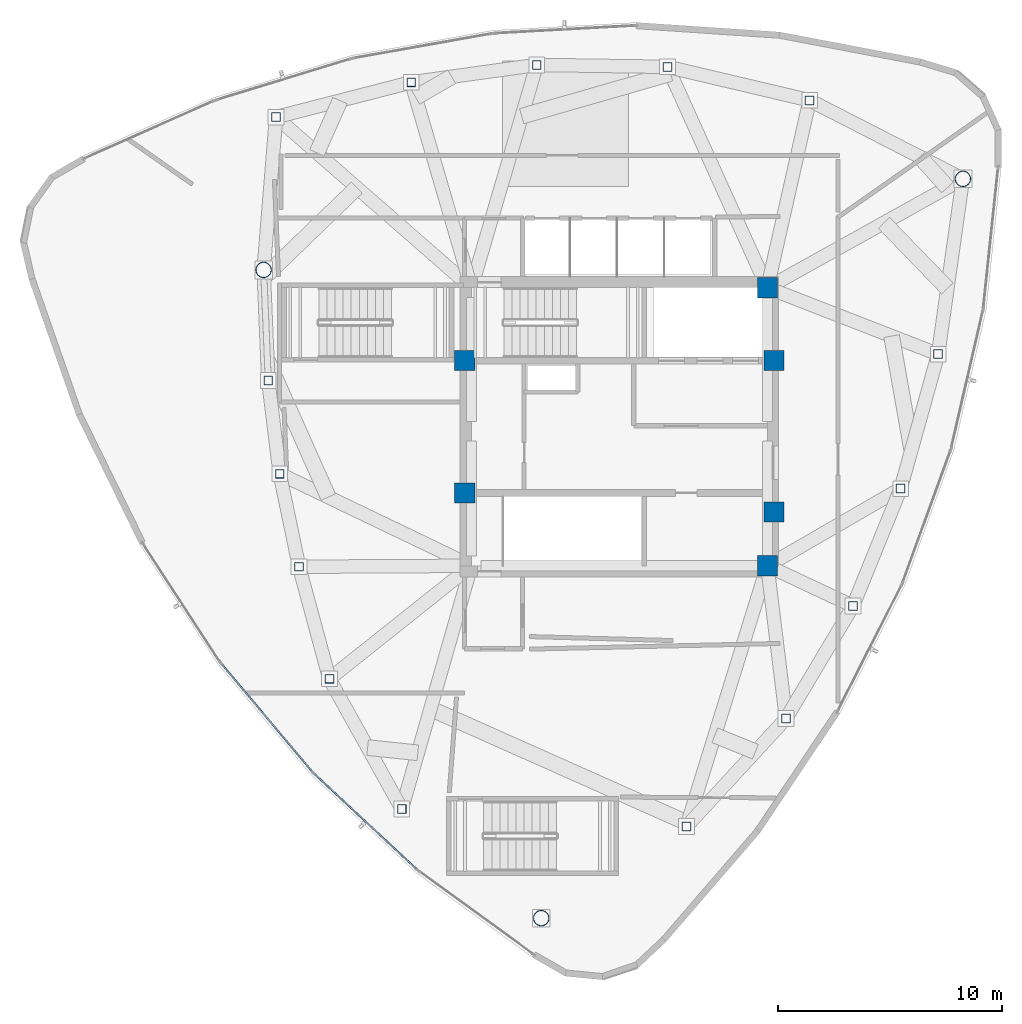
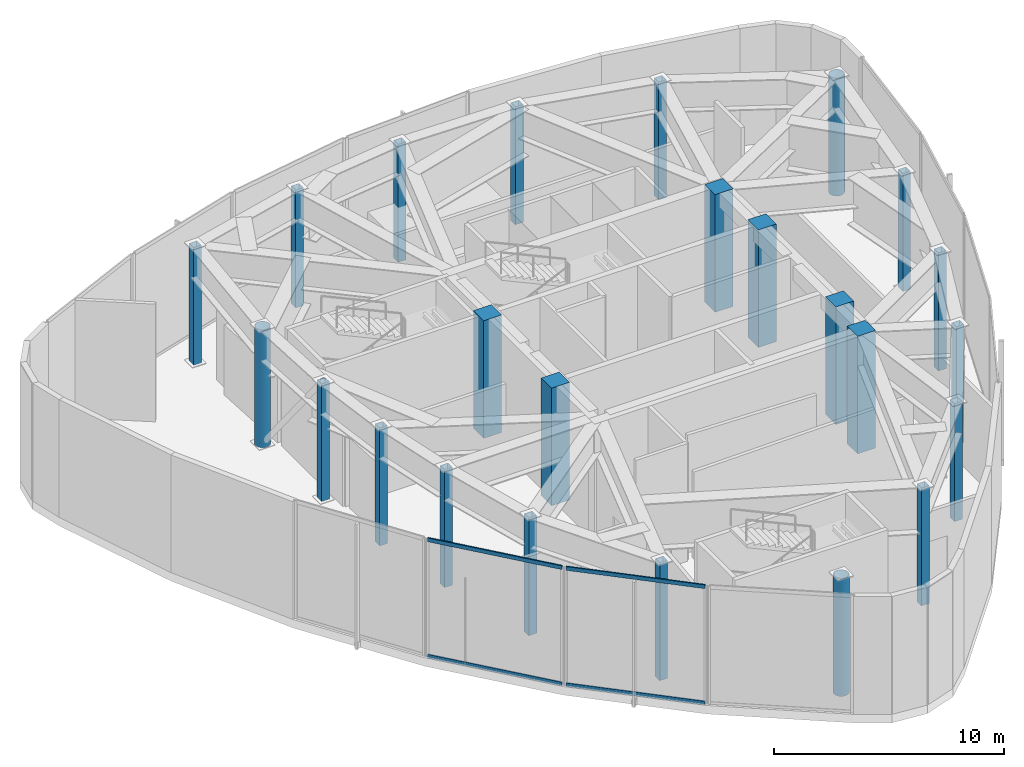
# One storey, part 1 of 13: 24 columns, 4 members, 2 elements without a shape of their own.
"""IFC4 building model written with IfcOpenShell, lengths in metres."""

from ifc_helpers import new_model, si_unit, direction, frame, origin, origin_2d, place, context, subcontext, project, spatial, rectangle, hollow_rectangle, hollow_circle, extrude, source, transform, mapped, material, layer, layer_set, material_profile, profile_set, type_object, type_shapes, element, aggregate, save


model = new_model("IFC4")

# Units and contexts
model_context = context("Model", 3, precision=1e-05, world=origin(), true_north=direction((0.0, 1.0)))
body_context = subcontext(model_context, "Body", "Model", "MODEL_VIEW")
ifc_project = project(units=[si_unit("LENGTHUNIT", "METRE"), si_unit("AREAUNIT", "SQUARE_METRE"), si_unit("VOLUMEUNIT", "CUBIC_METRE"), si_unit("PLANEANGLEUNIT", "RADIAN"), si_unit("MASSUNIT", "GRAM", prefix="KILO")], contexts=[model_context])

# Site, building, storey
site_placement = place(None, origin())
site = spatial("IfcSite", under=ifc_project, at=site_placement, CompositionType="ELEMENT")
building_placement = place(site_placement, origin())
building = spatial("IfcBuilding", under=site, at=building_placement, Name="Tavelor Broadcast Tower", CompositionType="ELEMENT")
storey_placement = place(building_placement, frame((0.0, 0.0, 325.5)))
storey = spatial("IfcBuildingStorey", under=building, at=storey_placement, Name="L78", CompositionType="ELEMENT", Elevation=325.5)

# Columns
ifc_material_1 = material(Name="Concrete C50/60", Category="concrete")
ifc_material_profile_1 = material_profile(ifc_material_1, rectangle(XDim=0.89990234375, YDim=0.89990234375, at=origin_2d()), Name="RC 900x900")
ifc_profile_set_1 = profile_set([ifc_material_profile_1], Name="Concrete C50/60")
column_type_1 = type_object("IfcColumnType", Name="Core Embedded Composite Column RC900", PredefinedType="COLUMN", material=ifc_profile_set_1)
for number, where, z_axis, x_axis, name in (
    (1, (43.10009765625, 47.949951171875, 0.0), (0.0, 0.0, 1.0), (1.0, 0.0, 0.0), "L78 Core Embedded Column 1"),
    (2, (56.89990234375, 47.949951171875, 0.0), (0.0, 0.0, 1.0), (1.0, 0.0, 0.0), "L78 Core Embedded Column 2"),
    (3, (56.60009765625, 51.199951171875, 0.0), (0.0, 0.0, 1.0), (1.0, 0.0, 0.0), "L78 Core Embedded Column 3"),
    (4, (43.10009765625, 42.050048828125, 0.0), (0.0, 0.0, 1.0), (1.0, 0.0, 0.0), "L78 Core Embedded Column 4"),
    (5, (56.89990234375, 41.199951171875, 0.0), (0.0, 0.0, 1.0), (1.0, 0.0, 0.0), "L78 Core Embedded Column 5"),
    (6, (56.60009765625, 38.800048828125, 0.0), (0.0, 0.0, 1.0), (1.0, 0.0, 0.0), "L78 Core Embedded Column 6"),
):
    element("IfcColumn", number, at=place(storey_placement, frame(where, z_axis=z_axis, x_axis=x_axis)), inside=storey, type_object=column_type_1, Name=name, PredefinedType="COLUMN", context=body_context, shape_type="SweptSolid", body=[
        extrude(rectangle(XDim=0.89990234375, YDim=0.89990234375, at=origin_2d()), origin(), (0.0, 0.0, 1.0), 6.25),
    ])
ifc_material_2 = material(Name="Steel S460", Category="steel")
ifc_material_profile_2 = material_profile(ifc_material_2, hollow_rectangle(XDim=0.39990234375, YDim=0.39990234375, WallThickness=0.02490234375, at=origin_2d()), Name="SHS 400x400x25")
ifc_profile_set_2 = profile_set([ifc_material_profile_2], Name="Steel S460")
column_type_2 = type_object("IfcColumnType", Name="Perimeter Tube Column T8 SHS 400x400x25", PredefinedType="COLUMN", material=ifc_profile_set_2)
for number, where, z_axis, x_axis, name in (
    (7, (34.341552734375, 47.061279296875, 0.0), (0.0, 0.0, 1.0), (1.0, 0.0, 0.0), "L78 Perimeter Framed-Tube Column 02"),
    (8, (34.85400390625, 42.90185546875, 0.0), (0.0, 0.0, 1.0), (1.0, 0.0, 0.0), "L78 Perimeter Framed-Tube Column 03"),
    (9, (35.716552734375, 38.757080078125, 0.0), (0.0, 0.0, 1.0), (1.0, 0.0, 0.0), "L78 Perimeter Framed-Tube Column 04"),
    (10, (37.068115234375, 33.759521484375, 0.0), (0.0, 0.0, 1.0), (1.0, 0.0, 0.0), "L78 Perimeter Framed-Tube Column 05"),
    (11, (40.29638671875, 27.95361328125, 0.0), (0.0, 0.0, 1.0), (1.0, 0.0, 0.0), "L78 Perimeter Framed-Tube Column 06"),
    (12, (52.992919921875, 27.1767578125, 0.0), (0.0, 0.0, 1.0), (1.0, 0.0, 0.0), "L78 Perimeter Framed-Tube Column 08"),
    (13, (57.431396484375, 31.9921875, 0.0), (0.0, 0.0, 1.0), (1.0, 0.0, 0.0), "L78 Perimeter Framed-Tube Column 09"),
    (14, (60.41748046875, 37.00439453125, 0.0), (0.0, 0.0, 1.0), (1.0, 0.0, 0.0), "L78 Perimeter Framed-Tube Column 10"),
    (15, (62.543701171875, 42.240478515625, 0.0), (0.0, 0.0, 1.0), (1.0, 0.0, 0.0), "L78 Perimeter Framed-Tube Column 11"),
    (16, (64.21435546875, 48.2373046875, 0.0), (0.0, 0.0, 1.0), (1.0, 0.0, 0.0), "L78 Perimeter Framed-Tube Column 12"),
    (17, (58.485595703125, 59.55712890625, 0.0), (0.0, 0.0, 1.0), (1.0, 0.0, 0.0), "L78 Perimeter Framed-Tube Column 14"),
    (18, (52.147216796875, 61.05078125, 0.0), (0.0, 0.0, 1.0), (1.0, 0.0, 0.0), "L78 Perimeter Framed-Tube Column 15"),
    (19, (46.3154296875, 61.13720703125, 0.0), (0.0, 0.0, 1.0), (1.0, 0.0, 0.0), "L78 Perimeter Framed-Tube Column 16"),
    (20, (40.718017578125, 60.36083984375, 0.0), (0.0, 0.0, 1.0), (1.0, 0.0, 0.0), "L78 Perimeter Framed-Tube Column 17"),
    (21, (34.689208984375, 58.80908203125, 0.0), (0.0, 0.0, 1.0), (1.0, 0.0, 0.0), "L78 Perimeter Framed-Tube Column 18"),
):
    element("IfcColumn", number, at=place(storey_placement, frame(where, z_axis=z_axis, x_axis=x_axis)), inside=storey, type_object=column_type_2, Name=name, PredefinedType="COLUMN", context=body_context, shape_type="SweptSolid", body=[
        extrude(hollow_rectangle(XDim=0.39990234375, YDim=0.39990234375, WallThickness=0.02490234375, at=origin_2d()), origin(), (0.0, 0.0, 1.0), 6.25),
    ])
ifc_material_profile_3 = material_profile(ifc_material_2, hollow_circle(Radius=0.35546875, WallThickness=0.031982421875, at=origin_2d()), Name="CHS 711x32")
ifc_profile_set_3 = profile_set([ifc_material_profile_3], Name="Steel S460")
column_type_3 = type_object("IfcColumnType", Name="Tower Mega Column T8 CHS 711x32", PredefinedType="COLUMN", material=ifc_profile_set_3)
for number, where, z_axis, x_axis, name in (
    (22, (34.134765625, 51.995849609375, 0.0), (0.0, 0.0, 1.0), (1.0, 0.0, 0.0), "L78 Tower Corner Mega Column 01"),
    (23, (46.5146484375, 23.08740234375, 0.0), (0.0, 0.0, 1.0), (1.0, 0.0, 0.0), "L78 Tower Corner Mega Column 07"),
    (24, (65.319580078125, 56.0556640625, 0.0), (0.0, 0.0, 1.0), (1.0, 0.0, 0.0), "L78 Tower Corner Mega Column 13"),
):
    element("IfcColumn", number, at=place(storey_placement, frame(where, z_axis=z_axis, x_axis=x_axis)), inside=storey, type_object=column_type_3, Name=name, PredefinedType="COLUMN", context=body_context, shape_type="SweptSolid", body=[
        extrude(hollow_circle(Radius=0.35546875, WallThickness=0.031982421875, at=origin_2d()), origin(), (0.0, 0.0, 1.0), 6.25),
    ])

# Curtain wall, members
ifc_material_3 = material(Name="Architectural Anodized Aluminium", Category="aluminium")
ifc_layer = layer(ifc_material_3, 0.199951171875)
ifc_layer_set = layer_set([ifc_layer], Name="Architectural Anodized Aluminium")
curtain_wall_type = type_object("IfcCurtainWallType", Name="Tower High-Zone Triple-Glazed Curtain Wall CW04", PredefinedType="NOTDEFINED", material=ifc_layer_set)
curtain_wall_1_placement = place(storey_placement, origin())
curtain_wall_1 = element("IfcCurtainWall", 25, at=curtain_wall_1_placement, inside=storey, type_object=curtain_wall_type, Name="L78 Curtain Wall CW04 Run 866", PredefinedType="NOTDEFINED")
ifc_material_profile_4 = material_profile(ifc_material_3, hollow_rectangle(XDim=0.070068359375, YDim=0.199951171875, WallThickness=0.02197265625, at=origin_2d()), Name="RHS 70x200x22")
ifc_profile_set_4 = profile_set([ifc_material_profile_4], Name="Architectural Anodized Aluminium")
member_type = type_object("IfcMemberType", Name="CW04 Extruded Aluminium Transom 70x200", PredefinedType="USERDEFINED", material=ifc_profile_set_4)
shared_shape_1 = source(origin(), body_context, "Body", "SweptSolid", [
    extrude(hollow_rectangle(XDim=0.070068359375, YDim=0.199951171875, WallThickness=0.02197265625, at=origin_2d()), origin(), (0.0, 0.0, 1.0), 6.2255859375),
])
member_1_placement = place(storey_placement, frame((32.276611328125, 34.4052734375, 0.034912109375), z_axis=(0.643810835951, -0.765184688498, 0.0), x_axis=(0.765184688498, 0.643810835951, 0.0)))
member_1 = element("IfcMember", 26, at=member_1_placement, type_object=member_type, Name="CW04 transom 1.1", ObjectType="TRANSOM", PredefinedType="USERDEFINED", context=body_context, shape_type="MappedRepresentation", body=[
    mapped(shared_shape_1, transform((0.0, 0.0, 0.0), scale=1.0)),
])
member_2_placement = place(storey_placement, frame((32.276611328125, 34.4052734375, 6.215087890625), z_axis=(0.643810835951, -0.765184688498, 0.0), x_axis=(0.765184688498, 0.643810835951, 0.0)))
member_2 = element("IfcMember", 27, at=member_2_placement, type_object=member_type, Name="CW04 transom 1.2", ObjectType="TRANSOM", PredefinedType="USERDEFINED", context=body_context, shape_type="MappedRepresentation", body=[
    mapped(shared_shape_1, transform((0.0, 0.0, 0.0), scale=1.0)),
])
aggregate(curtain_wall_1, [member_1, member_2])

curtain_wall_2_placement = place(storey_placement, origin())
curtain_wall_2 = element("IfcCurtainWall", 28, at=curtain_wall_2_placement, inside=storey, type_object=curtain_wall_type, Name="L78 Curtain Wall CW04 Run 867", PredefinedType="NOTDEFINED")
shared_shape_2 = source(origin(), body_context, "Body", "SweptSolid", [
    extrude(hollow_rectangle(XDim=0.070068359375, YDim=0.199951171875, WallThickness=0.02197265625, at=origin_2d()), origin(), (0.0, 0.0, 1.0), 6.225341796875),
])
type_shapes(member_type, [shared_shape_1, shared_shape_2])
member_3_placement = place(storey_placement, frame((36.401611328125, 29.5185546875, 0.034912109375), z_axis=(0.731665302581, -0.681664055822, 0.0), x_axis=(0.681664055822, 0.731665302581, 0.0)))
member_3 = element("IfcMember", 29, at=member_3_placement, type_object=member_type, Name="CW04 transom 1.1", ObjectType="TRANSOM", PredefinedType="USERDEFINED", context=body_context, shape_type="MappedRepresentation", body=[
    mapped(shared_shape_2, transform((0.0, 0.0, 0.0), scale=1.0)),
])
member_4_placement = place(storey_placement, frame((36.401611328125, 29.5185546875, 6.215087890625), z_axis=(0.731665302581, -0.681664055822, 0.0), x_axis=(0.681664055822, 0.731665302581, 0.0)))
member_4 = element("IfcMember", 30, at=member_4_placement, type_object=member_type, Name="CW04 transom 1.2", ObjectType="TRANSOM", PredefinedType="USERDEFINED", context=body_context, shape_type="MappedRepresentation", body=[
    mapped(shared_shape_2, transform((0.0, 0.0, 0.0), scale=1.0)),
])
aggregate(curtain_wall_2, [member_3, member_4])

save(model, "model.ifc")
